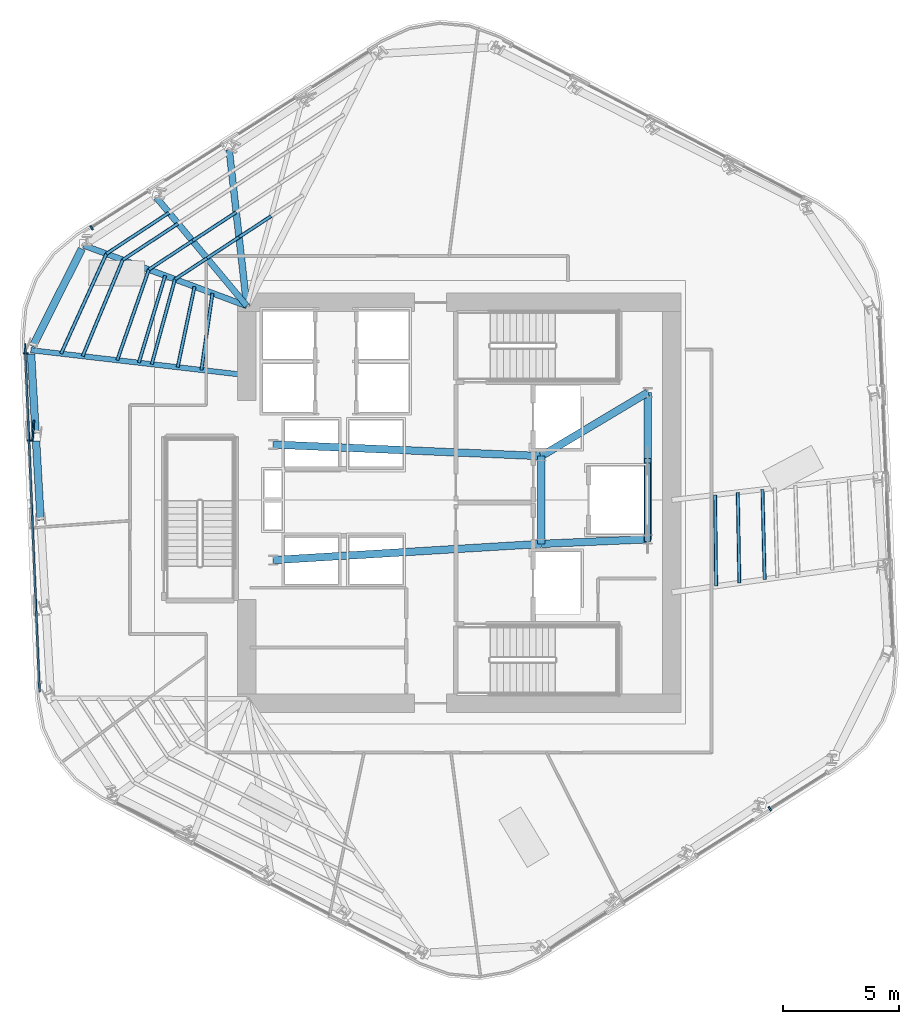
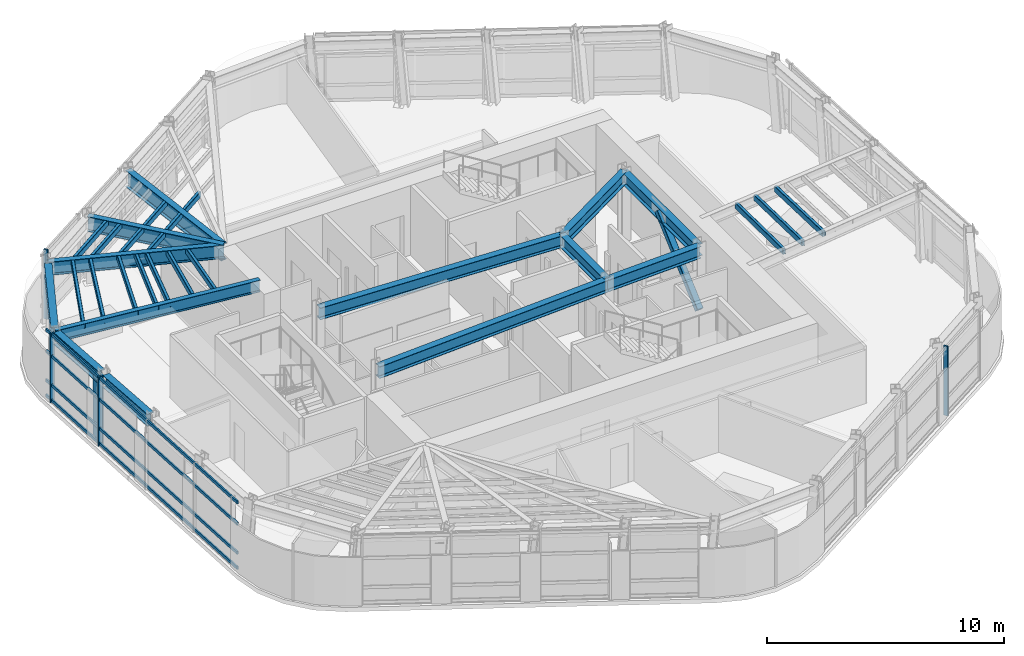
# One storey, part 4 of 15: 27 members, 13 beams, 3 elements without a shape of their own.
"""IFC4 building model written with IfcOpenShell, lengths in metres."""

from ifc_helpers import new_model, si_unit, direction, frame, origin, origin_2d, place, context, subcontext, project, spatial, rectangle, hollow_rectangle, i_section, extrude, material, layer, layer_set, material_profile, profile_set, type_object, element, aggregate, save


model = new_model("IFC4")

# Units and contexts
model_context = context("Model", 3, precision=1e-05, world=origin(), true_north=direction((0.0, 1.0)))
body_context = subcontext(model_context, "Body", "Model", "MODEL_VIEW")
ifc_project = project(units=[si_unit("LENGTHUNIT", "METRE"), si_unit("AREAUNIT", "SQUARE_METRE"), si_unit("VOLUMEUNIT", "CUBIC_METRE"), si_unit("PLANEANGLEUNIT", "RADIAN"), si_unit("MASSUNIT", "GRAM", prefix="KILO")], contexts=[model_context])

# Site, building, storey
site_placement = place(None, origin())
site = spatial("IfcSite", under=ifc_project, at=site_placement, CompositionType="ELEMENT")
building_placement = place(site_placement, origin())
building = spatial("IfcBuilding", under=site, at=building_placement, Name="Valkerne Bourse Tower", CompositionType="ELEMENT")
storey_placement = place(building_placement, frame((0.0, 0.0, 162.800048828125)))
storey = spatial("IfcBuildingStorey", under=building, at=storey_placement, Name="L41", CompositionType="ELEMENT", Elevation=162.800048828125)

# Beams
ifc_material_1 = material(Name="Steel ASTM A992", Category="steel")
ifc_material_profile_1 = material_profile(ifc_material_1, i_section(OverallWidth=0.3251953125, OverallDepth=0.612060546875, WebThickness=0.0126953125, FlangeThickness=0.01904296875, FilletRadius=0.020263671875, at=origin_2d()), Name="W24X104")
ifc_profile_set_1 = profile_set([ifc_material_profile_1], Name="Steel ASTM A992")
beam_type_1 = type_object("IfcBeamType", Name="BM-W24X104", PredefinedType="BEAM", material=ifc_profile_set_1)
beam_1_placement = place(storey_placement, frame((50.35009765625, 25.10009765625, 3.27392578125), z_axis=(0.0, 1.0, 0.0), x_axis=(-1.0, 0.0, 0.0)))
element("IfcBeam", 1, at=beam_1_placement, inside=storey, type_object=beam_type_1, Name="L41 Core Frame Girder CG-CE", PredefinedType="BEAM", context=body_context, shape_type="SweptSolid", body=[
    extrude(i_section(OverallWidth=0.3251953125, OverallDepth=0.612060546875, WebThickness=0.0126953125, FlangeThickness=0.01904296875, FilletRadius=0.020263671875, at=origin_2d()), origin(), (0.0, 0.0, 1.0), 3.7998046875),
])
beam_2_placement = place(storey_placement, frame((50.35009765625, 25.10009765625, 3.27392578125), z_axis=(0.999056558506, 0.043428019819, 0.0), x_axis=(-0.043428019819, 0.999056558506, 0.0)))
element("IfcBeam", 2, at=beam_2_placement, inside=storey, type_object=beam_type_1, Name="L41 Core Frame Girder CG-SE", PredefinedType="BEAM", context=body_context, shape_type="SweptSolid", body=[
    extrude(i_section(OverallWidth=0.3251953125, OverallDepth=0.612060546875, WebThickness=0.0126953125, FlangeThickness=0.01904296875, FilletRadius=0.020263671875, at=origin_2d()), origin(), (0.0, 0.0, 1.0), 4.604248046875),
])
beam_3_placement = place(storey_placement, frame((50.35009765625, 28.89990234375, 3.27392578125), z_axis=(0.858307823492, 0.513135148019, 0.0), x_axis=(-0.513135148019, 0.858307823492, 0.0)))
element("IfcBeam", 3, at=beam_3_placement, inside=storey, type_object=beam_type_1, Name="L41 Core Frame Girder CG-NE", PredefinedType="BEAM", context=body_context, shape_type="SweptSolid", body=[
    extrude(i_section(OverallWidth=0.3251953125, OverallDepth=0.612060546875, WebThickness=0.0126953125, FlangeThickness=0.01904296875, FilletRadius=0.020263671875, at=origin_2d()), origin(), (0.0, 0.0, 1.0), 5.359130859375),
])
beam_4_placement = place(storey_placement, frame((54.949951171875, 25.300048828125, 3.27392578125), z_axis=(0.0, 1.0, 0.0), x_axis=(-1.0, 0.0, 0.0)))
element("IfcBeam", 4, at=beam_4_placement, inside=storey, type_object=beam_type_1, Name="L41 Core Frame Girder CG-EE", PredefinedType="BEAM", context=body_context, shape_type="SweptSolid", body=[
    extrude(i_section(OverallWidth=0.3251953125, OverallDepth=0.612060546875, WebThickness=0.0126953125, FlangeThickness=0.01904296875, FilletRadius=0.020263671875, at=origin_2d()), origin(), (0.0, 0.0, 1.0), 6.349853515625),
])
beam_5_placement = place(storey_placement, frame((38.75, 24.39990234375, 3.27392578125), z_axis=(0.998183228389, 0.060251494276, 0.0), x_axis=(-0.060251494276, 0.998183228389, 0.0)))
element("IfcBeam", 5, at=beam_5_placement, inside=storey, type_object=beam_type_1, Name="L41 Core Frame Girder CG-SW", PredefinedType="BEAM", context=body_context, shape_type="SweptSolid", body=[
    extrude(i_section(OverallWidth=0.3251953125, OverallDepth=0.612060546875, WebThickness=0.0126953125, FlangeThickness=0.01904296875, FilletRadius=0.020263671875, at=origin_2d()), origin(), (0.0, 0.0, 1.0), 11.62109375),
])
beam_6_placement = place(storey_placement, frame((38.75, 29.39990234375, 3.27392578125), z_axis=(0.999072354402, -0.043063101019, 0.0), x_axis=(0.043063101019, 0.999072354402, 0.0)))
element("IfcBeam", 6, at=beam_6_placement, inside=storey, type_object=beam_type_1, Name="L41 Core Frame Girder CG-NW", PredefinedType="BEAM", context=body_context, shape_type="SweptSolid", body=[
    extrude(i_section(OverallWidth=0.3251953125, OverallDepth=0.612060546875, WebThickness=0.0126953125, FlangeThickness=0.01904296875, FilletRadius=0.020263671875, at=origin_2d()), origin(), (0.0, 0.0, 1.0), 11.61083984375),
])
ifc_material_profile_2 = material_profile(ifc_material_1, i_section(OverallWidth=0.32763671875, OverallDepth=0.62744140625, WebThickness=0.0166015625, FlangeThickness=0.027587890625, FilletRadius=0.020263671875, at=origin_2d()), Name="W24X146")
ifc_profile_set_2 = profile_set([ifc_material_profile_2], Name="Steel ASTM A992")
beam_type_2 = type_object("IfcBeamType", Name="BM-W24X146", PredefinedType="SPANDREL", material=ifc_profile_set_2)
beam_7_placement = place(storey_placement, frame((30.458984375, 37.87158203125, 3.266357421875), z_axis=(-0.44933436528, -0.893363659535, 0.0), x_axis=(0.893363659535, -0.44933436528, 0.0)))
element("IfcBeam", 7, at=beam_7_placement, inside=storey, type_object=beam_type_2, Name="L41 Hexagonal Spandrel Ring Beam 09", PredefinedType="SPANDREL", context=body_context, shape_type="SweptSolid", body=[
    extrude(i_section(OverallWidth=0.32763671875, OverallDepth=0.62744140625, WebThickness=0.0166015625, FlangeThickness=0.027587890625, FilletRadius=0.020263671875, at=origin_2d()), origin(), (0.0, 0.0, 1.0), 4.739990234375),
])
beam_8_placement = place(storey_placement, frame((28.262451171875, 33.3154296875, 3.266357421875), z_axis=(0.05756244057, -0.998341908083, 0.0), x_axis=(0.998341908083, 0.05756244057, 0.0)))
element("IfcBeam", 8, at=beam_8_placement, inside=storey, type_object=beam_type_2, Name="L41 Hexagonal Spandrel Ring Beam 10", PredefinedType="SPANDREL", context=body_context, shape_type="SweptSolid", body=[
    extrude(i_section(OverallWidth=0.32763671875, OverallDepth=0.62744140625, WebThickness=0.0166015625, FlangeThickness=0.027587890625, FilletRadius=0.020263671875, at=origin_2d()), origin(), (0.0, 0.0, 1.0), 3.43115234375),
])
beam_9_placement = place(storey_placement, frame((28.4794921875, 29.550537109375, 3.266357421875), z_axis=(0.057566529785, -0.998341672299, 0.0), x_axis=(0.998341672299, 0.057566529785, 0.0)))
element("IfcBeam", 9, at=beam_9_placement, inside=storey, type_object=beam_type_2, Name="L41 Hexagonal Spandrel Ring Beam 11", PredefinedType="SPANDREL", context=body_context, shape_type="SweptSolid", body=[
    extrude(i_section(OverallWidth=0.32763671875, OverallDepth=0.62744140625, WebThickness=0.0166015625, FlangeThickness=0.027587890625, FilletRadius=0.020263671875, at=origin_2d()), origin(), (0.0, 0.0, 1.0), 3.430908203125),
])
ifc_material_profile_3 = material_profile(ifc_material_1, i_section(OverallWidth=0.228271484375, OverallDepth=0.607177734375, WebThickness=0.01123046875, FlangeThickness=0.017333984375, FilletRadius=0.017822265625, at=origin_2d()), Name="W24X76")
ifc_profile_set_3 = profile_set([ifc_material_profile_3], Name="Steel ASTM A992")
beam_type_3 = type_object("IfcBeamType", Name="BM-W24X76", PredefinedType="JOIST", material=ifc_profile_set_3)
beam_10_placement = place(storey_placement, frame((28.252685546875, 33.485107421875, 3.2763671875), z_axis=(0.993328130735, -0.115322264505, 0.0), x_axis=(0.115322264505, 0.993328130735, 0.0)))
element("IfcBeam", 10, at=beam_10_placement, inside=storey, type_object=beam_type_3, Name="L41 Radial Composite Floor Beam 10", PredefinedType="JOIST", context=body_context, shape_type="SweptSolid", body=[
    extrude(i_section(OverallWidth=0.228271484375, OverallDepth=0.607177734375, WebThickness=0.01123046875, FlangeThickness=0.017333984375, FilletRadius=0.017822265625, at=origin_2d()), origin(), (0.0, 0.0, 1.0), 9.41015625),
])
ifc_material_profile_4 = material_profile(ifc_material_1, i_section(OverallWidth=0.255859375, OverallDepth=0.693359375, WebThickness=0.014404296875, FlangeThickness=0.023681640625, FilletRadius=0.02294921875, at=origin_2d()), Name="W27X114")
ifc_profile_set_4 = profile_set([ifc_material_profile_4], Name="Steel ASTM A992")
beam_type_4 = type_object("IfcBeamType", Name="BM-W27X114", PredefinedType="BEAM", material=ifc_profile_set_4)
beam_11_placement = place(storey_placement, frame((30.535400390625, 38.0234375, 3.233154296875), z_axis=(0.937446720464, -0.348128778315, 0.0), x_axis=(0.348128778315, 0.937446720464, 0.0)))
element("IfcBeam", 11, at=beam_11_placement, inside=storey, type_object=beam_type_4, Name="L41 Radial Composite Floor Beam 09", PredefinedType="BEAM", context=body_context, shape_type="SweptSolid", body=[
    extrude(i_section(OverallWidth=0.255859375, OverallDepth=0.693359375, WebThickness=0.014404296875, FlangeThickness=0.023681640625, FilletRadius=0.02294921875, at=origin_2d()), origin(), (0.0, 0.0, 1.0), 7.5361328125),
])
ifc_material_profile_5 = material_profile(ifc_material_1, i_section(OverallWidth=0.26806640625, OverallDepth=0.76953125, WebThickness=0.015625, FlangeThickness=0.025390625, FilletRadius=0.025390625, at=origin_2d()), Name="W30X132")
ifc_profile_set_5 = profile_set([ifc_material_profile_5], Name="Steel ASTM A992")
beam_type_5 = type_object("IfcBeamType", Name="BM-W30X132", PredefinedType="BEAM", material=ifc_profile_set_5)
beam_12_placement = place(storey_placement, frame((33.68701171875, 40.093994140625, 3.195068359375), z_axis=(0.640314063396, -0.768113207943, 0.0), x_axis=(0.768113207943, 0.640314063396, 0.0)))
element("IfcBeam", 12, at=beam_12_placement, inside=storey, type_object=beam_type_5, Name="L41 Radial Composite Floor Beam 08", PredefinedType="BEAM", context=body_context, shape_type="SweptSolid", body=[
    extrude(i_section(OverallWidth=0.26806640625, OverallDepth=0.76953125, WebThickness=0.015625, FlangeThickness=0.025390625, FilletRadius=0.025390625, at=origin_2d()), origin(), (0.0, 0.0, 1.0), 6.111083984375),
])
ifc_material_profile_6 = material_profile(ifc_material_1, i_section(OverallWidth=0.2919921875, OverallDepth=0.8583984375, WebThickness=0.01708984375, FlangeThickness=0.031005859375, FilletRadius=0.025390625, at=origin_2d()), Name="W33X169")
ifc_profile_set_6 = profile_set([ifc_material_profile_6], Name="Steel ASTM A992")
beam_type_6 = type_object("IfcBeamType", Name="BM-W33X169", PredefinedType="BEAM", material=ifc_profile_set_6)
beam_13_placement = place(storey_placement, frame((36.839111328125, 42.164306640625, 3.150634765625), z_axis=(0.111793444913, -0.993731465575, 0.0), x_axis=(0.993731465575, 0.111793444913, 0.0)))
element("IfcBeam", 13, at=beam_13_placement, inside=storey, type_object=beam_type_6, Name="L41 Radial Composite Floor Beam 07", PredefinedType="BEAM", context=body_context, shape_type="SweptSolid", body=[
    extrude(i_section(OverallWidth=0.2919921875, OverallDepth=0.8583984375, WebThickness=0.01708984375, FlangeThickness=0.031005859375, FilletRadius=0.025390625, at=origin_2d()), origin(), (0.0, 0.0, 1.0), 6.80712890625),
])

# Curtain wall, member
ifc_material_2 = material(Name="Aluminium AA 6063-T6", Category="aluminium")
ifc_layer = layer(ifc_material_2, 0.235107421875)
ifc_layer_set = layer_set([ifc_layer], Name="Aluminium AA 6063-T6")
curtain_wall_type = type_object("IfcCurtainWallType", Name="CW-03", PredefinedType="NOTDEFINED", material=ifc_layer_set)
curtain_wall_1_placement = place(storey_placement, origin())
curtain_wall_1 = element("IfcCurtainWall", 14, at=curtain_wall_1_placement, inside=storey, type_object=curtain_wall_type, Name="L41 Hexagonal Stick Curtain Wall Face 2", PredefinedType="NOTDEFINED")
ifc_material_profile_7 = material_profile(ifc_material_2, rectangle(XDim=0.074951171875, YDim=0.199951171875, at=origin_2d()), Name="CWM-75X200")
ifc_profile_set_7 = profile_set([ifc_material_profile_7], Name="Aluminium AA 6063-T6")
member_type_1 = type_object("IfcMemberType", Name="CW-MUL-220X75", PredefinedType="MULLION", material=ifc_profile_set_7)
member_1_placement = place(storey_placement, frame((30.8828125, 38.789794921875, 0.0), z_axis=(0.0, 0.0, 1.0), x_axis=(-0.844331265878, -0.535821531353, 0.0)))
member_1 = element("IfcMember", 15, at=member_1_placement, type_object=member_type_1, Name="CW-L41-F2 Jamb Mullion 03B", PredefinedType="MULLION", context=body_context, shape_type="SweptSolid", body=[
    extrude(rectangle(XDim=0.074951171875, YDim=0.199951171875, at=origin_2d()), origin(), (0.0, 0.0, 1.0), 3.579833984375),
])
aggregate(curtain_wall_1, [member_1])

# Curtain wall, members
curtain_wall_2_placement = place(storey_placement, origin())
curtain_wall_2 = element("IfcCurtainWall", 16, at=curtain_wall_2_placement, inside=storey, type_object=curtain_wall_type, Name="L41 Hexagonal Stick Curtain Wall Face 3", PredefinedType="NOTDEFINED")
member_2_placement = place(storey_placement, frame((28.034912109375, 33.341796875, 0.0), z_axis=(0.0, 0.0, 1.0), x_axis=(0.041872101908, -0.999122978958, 0.0)))
member_2 = element("IfcMember", 17, at=member_2_placement, type_object=member_type_1, Name="CW-L41-F3 Jamb Mullion 00A", PredefinedType="MULLION", context=body_context, shape_type="SweptSolid", body=[
    extrude(rectangle(XDim=0.074951171875, YDim=0.199951171875, at=origin_2d()), origin(), (0.0, 0.0, 1.0), 3.579833984375),
])
member_3_placement = place(storey_placement, frame((28.192626953125, 29.573974609375, 0.0), z_axis=(0.0, 0.0, 1.0), x_axis=(0.041872101908, -0.999122978958, 0.0)))
member_3 = element("IfcMember", 18, at=member_3_placement, type_object=member_type_1, Name="CW-L41-F3 Jamb Mullion 01A", PredefinedType="MULLION", context=body_context, shape_type="SweptSolid", body=[
    extrude(rectangle(XDim=0.074951171875, YDim=0.199951171875, at=origin_2d()), origin(), (0.0, 0.0, 1.0), 3.579833984375),
])

# Curtain wall, member
curtain_wall_3_placement = place(storey_placement, origin())
curtain_wall_3 = element("IfcCurtainWall", 19, at=curtain_wall_3_placement, inside=storey, type_object=curtain_wall_type, Name="L41 Hexagonal Stick Curtain Wall Face 5", PredefinedType="NOTDEFINED")
member_4_placement = place(storey_placement, frame((60.242431640625, 13.639892578125, 0.0), z_axis=(0.0, 0.0, 1.0), x_axis=(0.844331265878, 0.535821531353, 0.0)))
member_4 = element("IfcMember", 20, at=member_4_placement, type_object=member_type_1, Name="CW-L41-F5 Jamb Mullion 03A", PredefinedType="MULLION", context=body_context, shape_type="SweptSolid", body=[
    extrude(rectangle(XDim=0.074951171875, YDim=0.199951171875, at=origin_2d()), origin(), (0.0, 0.0, 1.0), 3.579833984375),
])
aggregate(curtain_wall_3, [member_4])

# Member
ifc_material_profile_8 = material_profile(ifc_material_2, rectangle(XDim=0.074951171875, YDim=0.14990234375, at=origin_2d()), Name="CWT-75X150")
ifc_profile_set_8 = profile_set([ifc_material_profile_8], Name="Aluminium AA 6063-T6")
member_type_2 = type_object("IfcMemberType", Name="CW-TRN-180X65", PredefinedType="USERDEFINED", material=ifc_profile_set_8)
member_5_placement = place(storey_placement, frame((27.997314453125, 33.760498046875, 0.119873046875), z_axis=(0.041871556871, -0.9991230018, 0.0), x_axis=(0.9991230018, 0.041871556871, 0.0)))
member_5 = element("IfcMember", 21, at=member_5_placement, type_object=member_type_2, Name="CW-L41-F3 Continuous Face Transom 1", ObjectType="TRANSOM", PredefinedType="USERDEFINED", context=body_context, shape_type="SweptSolid", body=[
    extrude(rectangle(XDim=0.074951171875, YDim=0.14990234375, at=origin_2d()), origin(), (0.0, 0.0, 1.0), 15.083984375),
])

member_6_placement = place(storey_placement, frame((27.997314453125, 33.760498046875, 0.89990234375), z_axis=(0.041871556871, -0.9991230018, 0.0), x_axis=(0.9991230018, 0.041871556871, 0.0)))
member_6 = element("IfcMember", 22, at=member_6_placement, type_object=member_type_2, Name="CW-L41-F3 Continuous Face Transom 2", ObjectType="TRANSOM", PredefinedType="USERDEFINED", context=body_context, shape_type="SweptSolid", body=[
    extrude(rectangle(XDim=0.074951171875, YDim=0.14990234375, at=origin_2d()), origin(), (0.0, 0.0, 1.0), 15.083984375),
])

member_7_placement = place(storey_placement, frame((27.997314453125, 33.760498046875, 2.39990234375), z_axis=(0.041871556871, -0.9991230018, 0.0), x_axis=(0.9991230018, 0.041871556871, 0.0)))
member_7 = element("IfcMember", 23, at=member_7_placement, type_object=member_type_2, Name="CW-L41-F3 Continuous Face Transom 3", ObjectType="TRANSOM", PredefinedType="USERDEFINED", context=body_context, shape_type="SweptSolid", body=[
    extrude(rectangle(XDim=0.074951171875, YDim=0.14990234375, at=origin_2d()), origin(), (0.0, 0.0, 1.0), 15.083984375),
])

member_8_placement = place(storey_placement, frame((27.997314453125, 33.760498046875, 3.5), z_axis=(0.041871556871, -0.9991230018, 0.0), x_axis=(0.9991230018, 0.041871556871, 0.0)))
member_8 = element("IfcMember", 24, at=member_8_placement, type_object=member_type_2, Name="CW-L41-F3 Continuous Face Transom 4", ObjectType="TRANSOM", PredefinedType="USERDEFINED", context=body_context, shape_type="SweptSolid", body=[
    extrude(rectangle(XDim=0.074951171875, YDim=0.14990234375, at=origin_2d()), origin(), (0.0, 0.0, 1.0), 15.083984375),
])

aggregate(curtain_wall_2, [member_5, member_6, member_7, member_8, member_2, member_3])

# Members
ifc_material_3 = material(Name="Bronze Anodised Aluminium AA 6063-T6", Category="aluminium")
ifc_material_profile_9 = material_profile(ifc_material_3, rectangle(XDim=0.070068359375, YDim=0.89990234375, at=origin_2d()), Name="FIN-70X900")
ifc_profile_set_9 = profile_set([ifc_material_profile_9], Name="Bronze Anodised Aluminium AA 6063-T6")
member_type_3 = type_object("IfcMemberType", Name="FIN-SOLAR-900", PredefinedType="USERDEFINED", material=ifc_profile_set_9)
member_9_placement = place(storey_placement, frame((28.35498046875, 30.001220703125, 0.00390625), z_axis=(0.0, 0.0, 1.0), x_axis=(-0.997848183423, 0.065566781518, 0.0)))
element("IfcMember", 25, at=member_9_placement, inside=storey, type_object=member_type_3, Name="L41 Bronze Anodised Solar Fin F3-01", ObjectType="SOLAR_FIN", PredefinedType="USERDEFINED", context=body_context, shape_type="SweptSolid", body=[
    extrude(rectangle(XDim=0.070068359375, YDim=0.89990234375, at=origin_2d()), origin(), (0.0, 0.0, 1.0), 3.572021484375),
])
ifc_material_4 = material(Name="Steel ASTM A500 Grade C", Category="steel")
ifc_material_profile_10 = material_profile(ifc_material_4, hollow_rectangle(XDim=0.14990234375, YDim=0.300048828125, WallThickness=0.012451171875, OuterFilletRadius=0.02490234375, at=origin_2d()), Name="HSS300X150X12.5")
ifc_profile_set_10 = profile_set([ifc_material_profile_10], Name="Steel ASTM A500 Grade C")
member_type_4 = type_object("IfcMemberType", Name="MBR-HSS300X150X12.5", PredefinedType="PURLIN", material=ifc_profile_set_10)
member_10_placement = place(storey_placement, frame((35.33935546875, 36.239501953125, 3.419921875), z_axis=(-0.204741184854, -0.978816145772, 0.0), x_axis=(0.978816145772, -0.204741184854, 0.0)))
element("IfcMember", 26, at=member_10_placement, inside=storey, type_object=member_type_4, Name="L41 Secondary Composite Floor Purlin I-09", PredefinedType="PURLIN", context=body_context, shape_type="SweptSolid", body=[
    extrude(hollow_rectangle(XDim=0.14990234375, YDim=0.300048828125, WallThickness=0.012451171875, OuterFilletRadius=0.02490234375, at=origin_2d()), origin(), (0.0, 0.0, 1.0), 3.56787109375),
])
member_11_placement = place(storey_placement, frame((58.921630859375, 23.409423828125, 3.419921875), z_axis=(-0.017663330026, 0.999843991217, 0.0), x_axis=(-0.999843991217, -0.017663330026, 0.0)))
element("IfcMember", 27, at=member_11_placement, inside=storey, type_object=member_type_4, Name="L41 Secondary Composite Floor Purlin I-26", PredefinedType="PURLIN", context=body_context, shape_type="SweptSolid", body=[
    extrude(hollow_rectangle(XDim=0.14990234375, YDim=0.300048828125, WallThickness=0.012451171875, OuterFilletRadius=0.02490234375, at=origin_2d()), origin(), (0.0, 0.0, 1.0), 3.925537109375),
])
member_12_placement = place(storey_placement, frame((38.652099609375, 39.287109375, 3.419921875), z_axis=(-0.835855935501, -0.548948863819, 0.0), x_axis=(0.548948863819, -0.835855935501, 0.0)))
element("IfcMember", 28, at=member_12_placement, inside=storey, type_object=member_type_4, Name="L41 Secondary Composite Floor Purlin K-06", PredefinedType="PURLIN", context=body_context, shape_type="SweptSolid", body=[
    extrude(hollow_rectangle(XDim=0.14990234375, YDim=0.300048828125, WallThickness=0.012451171875, OuterFilletRadius=0.02490234375, at=origin_2d()), origin(), (0.0, 0.0, 1.0), 1.659423828125),
])
member_13_placement = place(storey_placement, frame((37.26513671875, 38.376220703125, 3.419921875), z_axis=(-0.8358115899, -0.549016380619, 0.0), x_axis=(0.549016380619, -0.8358115899, 0.0)))
element("IfcMember", 29, at=member_13_placement, inside=storey, type_object=member_type_4, Name="L41 Secondary Composite Floor Purlin K-07", PredefinedType="PURLIN", context=body_context, shape_type="SweptSolid", body=[
    extrude(hollow_rectangle(XDim=0.14990234375, YDim=0.300048828125, WallThickness=0.012451171875, OuterFilletRadius=0.02490234375, at=origin_2d()), origin(), (0.0, 0.0, 1.0), 1.6591796875),
])
member_14_placement = place(storey_placement, frame((35.87841796875, 37.46533203125, 3.419921875), z_axis=(-0.835788424345, -0.549051645777, 0.0), x_axis=(0.549051645777, -0.835788424345, 0.0)))
element("IfcMember", 30, at=member_14_placement, inside=storey, type_object=member_type_4, Name="L41 Secondary Composite Floor Purlin K-08", PredefinedType="PURLIN", context=body_context, shape_type="SweptSolid", body=[
    extrude(hollow_rectangle(XDim=0.14990234375, YDim=0.300048828125, WallThickness=0.012451171875, OuterFilletRadius=0.02490234375, at=origin_2d()), origin(), (0.0, 0.0, 1.0), 1.659423828125),
])
member_15_placement = place(storey_placement, frame((34.491455078125, 36.55419921875, 3.419921875), z_axis=(-0.263458852561, -0.964670634469, 0.0), x_axis=(0.964670634469, -0.263458852561, 0.0)))
element("IfcMember", 31, at=member_15_placement, inside=storey, type_object=member_type_4, Name="L41 Secondary Composite Floor Purlin K-09", PredefinedType="PURLIN", context=body_context, shape_type="SweptSolid", body=[
    extrude(hollow_rectangle(XDim=0.14990234375, YDim=0.300048828125, WallThickness=0.012451171875, OuterFilletRadius=0.02490234375, at=origin_2d()), origin(), (0.0, 0.0, 1.0), 3.8115234375),
])
member_16_placement = place(storey_placement, frame((60.017333984375, 23.56298828125, 3.419921875), z_axis=(-0.024491398241, 0.999700040718, 0.0), x_axis=(-0.999700040718, -0.024491398241, 0.0)))
element("IfcMember", 32, at=member_16_placement, inside=storey, type_object=member_type_4, Name="L41 Secondary Composite Floor Purlin K-26", PredefinedType="PURLIN", context=body_context, shape_type="SweptSolid", body=[
    extrude(hollow_rectangle(XDim=0.14990234375, YDim=0.300048828125, WallThickness=0.012451171875, OuterFilletRadius=0.02490234375, at=origin_2d()), origin(), (0.0, 0.0, 1.0), 3.897705078125),
])
member_17_placement = place(storey_placement, frame((34.067626953125, 36.711669921875, 3.419921875), z_axis=(-0.289809527734, -0.957084341965, 0.0), x_axis=(0.957084341965, -0.289809527734, 0.0)))
element("IfcMember", 33, at=member_17_placement, inside=storey, type_object=member_type_4, Name="L41 Secondary Composite Floor Purlin M-09", PredefinedType="PURLIN", context=body_context, shape_type="SweptSolid", body=[
    extrude(hollow_rectangle(XDim=0.14990234375, YDim=0.300048828125, WallThickness=0.012451171875, OuterFilletRadius=0.02490234375, at=origin_2d()), origin(), (0.0, 0.0, 1.0), 3.938232421875),
])
member_18_placement = place(storey_placement, frame((34.626220703125, 38.96728515625, 3.419921875), z_axis=(-0.835818278911, -0.549006197267, 0.0), x_axis=(0.549006197267, -0.835818278911, 0.0)))
element("IfcMember", 34, at=member_18_placement, inside=storey, type_object=member_type_4, Name="L41 Secondary Composite Floor Purlin O-08", PredefinedType="PURLIN", context=body_context, shape_type="SweptSolid", body=[
    extrude(hollow_rectangle(XDim=0.14990234375, YDim=0.300048828125, WallThickness=0.012451171875, OuterFilletRadius=0.02490234375, at=origin_2d()), origin(), (0.0, 0.0, 1.0), 2.865966796875),
])
member_19_placement = place(storey_placement, frame((32.230712890625, 37.393798828125, 3.419921875), z_axis=(-0.384135461237, -0.923276744763, 0.0), x_axis=(0.923276744763, -0.384135461237, 0.0)))
element("IfcMember", 35, at=member_19_placement, inside=storey, type_object=member_type_4, Name="L41 Secondary Composite Floor Purlin O-09", PredefinedType="PURLIN", context=body_context, shape_type="SweptSolid", body=[
    extrude(hollow_rectangle(XDim=0.14990234375, YDim=0.300048828125, WallThickness=0.012451171875, OuterFilletRadius=0.02490234375, at=origin_2d()), origin(), (0.0, 0.0, 1.0), 4.515625),
])
for number, where, z_axis, x_axis, name in (
    (36, (37.143310546875, 39.45849609375, 3.419921875), (-0.835815826449, -0.549009930928, 0.0), (0.549009930928, -0.835815826449, 0.0), "L41 Secondary Composite Floor Purlin Z-07"),
    (37, (35.252197265625, 38.21630859375, 3.419921875), (-0.835815826449, -0.549009930928, 0.0), (0.549009930928, -0.835815826449, 0.0), "L41 Secondary Composite Floor Purlin Z-08"),
):
    element("IfcMember", number, at=place(storey_placement, frame(where, z_axis=z_axis, x_axis=x_axis)), inside=storey, type_object=member_type_4, Name=name, PredefinedType="PURLIN", context=body_context, shape_type="SweptSolid", body=[
        extrude(hollow_rectangle(XDim=0.14990234375, YDim=0.300048828125, WallThickness=0.012451171875, OuterFilletRadius=0.02490234375, at=origin_2d()), origin(), (0.0, 0.0, 1.0), 2.2626953125),
    ])
member_20_placement = place(storey_placement, frame((33.361083984375, 36.97412109375, 3.419921875), z_axis=(-0.32955731068, -0.94413557235, 0.0), x_axis=(0.94413557235, -0.32955731068, 0.0)))
element("IfcMember", 38, at=member_20_placement, inside=storey, type_object=member_type_4, Name="L41 Secondary Composite Floor Purlin Z-09", PredefinedType="PURLIN", context=body_context, shape_type="SweptSolid", body=[
    extrude(hollow_rectangle(XDim=0.14990234375, YDim=0.300048828125, WallThickness=0.012451171875, OuterFilletRadius=0.02490234375, at=origin_2d()), origin(), (0.0, 0.0, 1.0), 4.1552734375),
])
member_21_placement = place(storey_placement, frame((36.116455078125, 35.950927734375, 3.419921875), z_axis=(-0.142744690564, -0.98975954318, 0.0), x_axis=(0.98975954318, -0.142744690564, 0.0)))
element("IfcMember", 39, at=member_21_placement, inside=storey, type_object=member_type_4, Name="L41 Secondary Composite Floor Purlin S-09", PredefinedType="PURLIN", context=body_context, shape_type="SweptSolid", body=[
    extrude(hollow_rectangle(XDim=0.14990234375, YDim=0.300048828125, WallThickness=0.012451171875, OuterFilletRadius=0.02490234375, at=origin_2d()), origin(), (0.0, 0.0, 1.0), 3.357421875),
])
member_22_placement = place(storey_placement, frame((57.917236328125, 23.268798828125, 3.419921875), z_axis=(-0.011494203865, 0.999933939457, 0.0), x_axis=(-0.999933939457, -0.011494203865, 0.0)))
element("IfcMember", 40, at=member_22_placement, inside=storey, type_object=member_type_4, Name="L41 Secondary Composite Floor Purlin S-26", PredefinedType="PURLIN", context=body_context, shape_type="SweptSolid", body=[
    extrude(hollow_rectangle(XDim=0.14990234375, YDim=0.300048828125, WallThickness=0.012451171875, OuterFilletRadius=0.02490234375, at=origin_2d()), origin(), (0.0, 0.0, 1.0), 3.95068359375),
])
member_23_placement = place(storey_placement, frame((34.23486328125, 39.436767578125, 3.419921875), z_axis=(-0.835795302025, -0.549041176155, 0.0), x_axis=(0.549041176155, -0.835795302025, 0.0)))
element("IfcMember", 41, at=member_23_placement, inside=storey, type_object=member_type_4, Name="L41 Secondary Composite Floor Purlin T-08", PredefinedType="PURLIN", context=body_context, shape_type="SweptSolid", body=[
    extrude(hollow_rectangle(XDim=0.14990234375, YDim=0.300048828125, WallThickness=0.012451171875, OuterFilletRadius=0.02490234375, at=origin_2d()), origin(), (0.0, 0.0, 1.0), 3.242919921875),
])
member_24_placement = place(storey_placement, frame((31.5244140625, 37.65625, 3.419921875), z_axis=(-0.413477485364, -0.910514343158, 0.0), x_axis=(0.910514343158, -0.413477485364, 0.0)))
element("IfcMember", 42, at=member_24_placement, inside=storey, type_object=member_type_4, Name="L41 Secondary Composite Floor Purlin T-09", PredefinedType="PURLIN", context=body_context, shape_type="SweptSolid", body=[
    extrude(hollow_rectangle(XDim=0.14990234375, YDim=0.300048828125, WallThickness=0.012451171875, OuterFilletRadius=0.02490234375, at=origin_2d()), origin(), (0.0, 0.0, 1.0), 4.747802734375),
])
ifc_material_profile_11 = material_profile(ifc_material_4, hollow_rectangle(XDim=0.300048828125, YDim=0.300048828125, WallThickness=0.012451171875, OuterFilletRadius=0.02490234375, at=origin_2d()), Name="HSS300X300X12.5")
ifc_profile_set_11 = profile_set([ifc_material_profile_11], Name="Steel ASTM A500 Grade C")
member_type_5 = type_object("IfcMemberType", Name="MBR-HSS300X300X12.5", PredefinedType="STRUT", material=ifc_profile_set_11)
member_25_placement = place(storey_placement, frame((54.949951171875, 25.300048828125, 0.219970703125), z_axis=(0.0, 0.743941933778, 0.668244266094), x_axis=(-1.0, 0.0, 0.0)))
element("IfcMember", 43, at=member_25_placement, inside=storey, type_object=member_type_5, Name="L41 Core Service Pier Lateral Brace", PredefinedType="STRUT", context=body_context, shape_type="SweptSolid", body=[
    extrude(hollow_rectangle(XDim=0.300048828125, YDim=0.300048828125, WallThickness=0.012451171875, OuterFilletRadius=0.02490234375, at=origin_2d()), origin(), (0.0, 0.0, 1.0), 4.570068359375),
])

save(model, "model.ifc")
